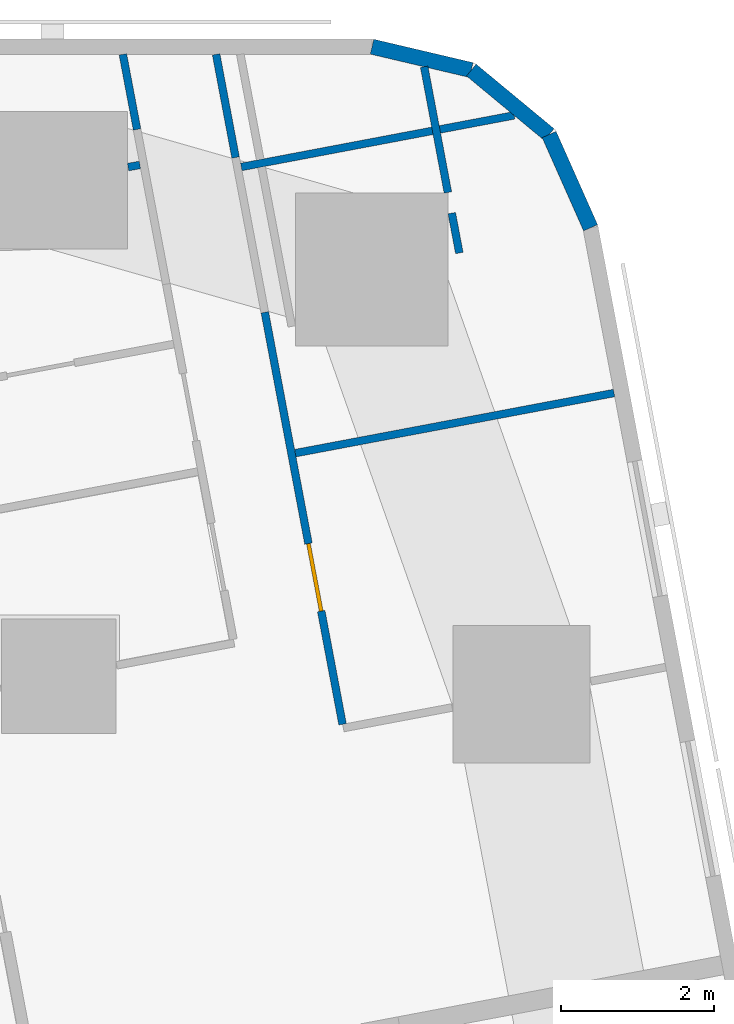
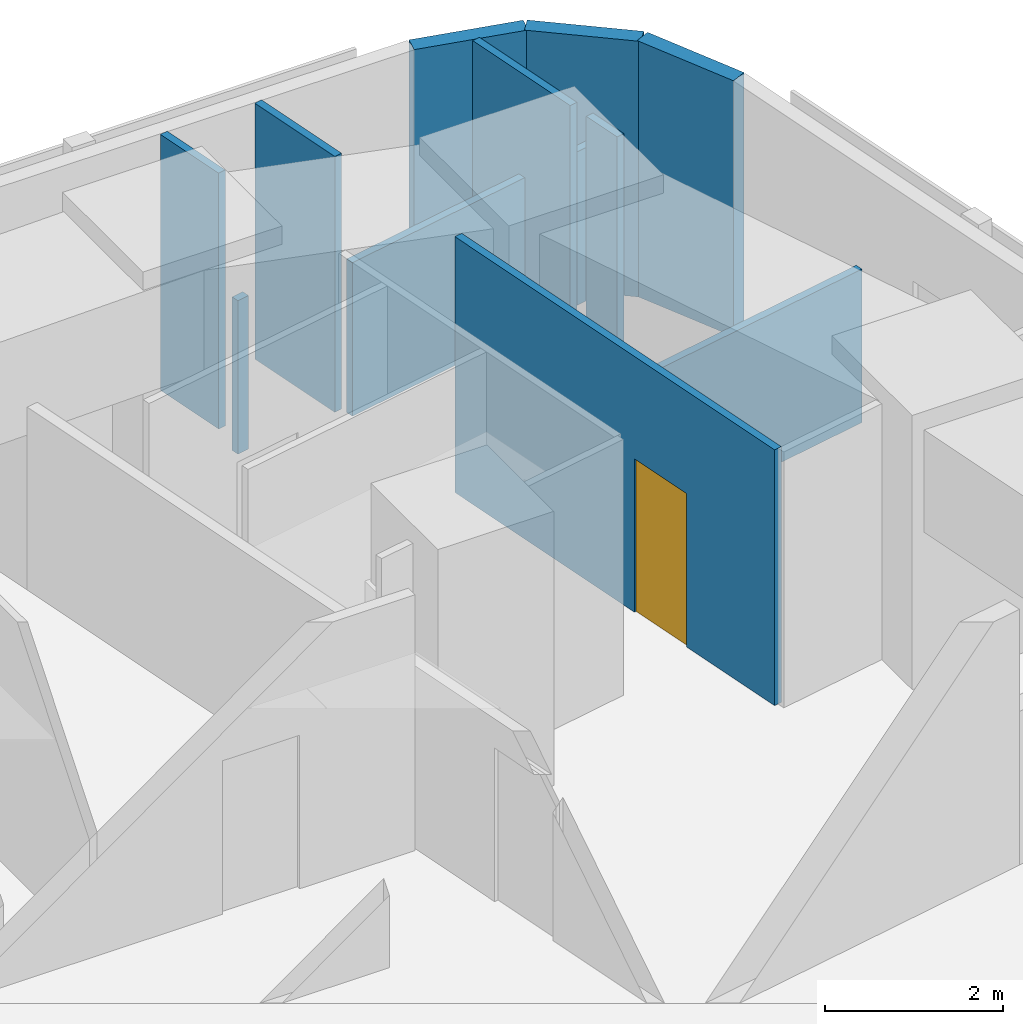
# One storey, part 11 of 15: 11 walls, 1 door, 1 opening.
"""IFC4 building model written with IfcOpenShell, lengths in metres."""

from ifc_helpers import new_model, si_unit, direction, frame, frame_2d, origin, place, context, subcontext, project, spatial, rectangle, extrude, material, layer, layer_set, type_object, element, fill, save


model = new_model("IFC4")

# Units and contexts
model_context = context("Model", 3, precision=1e-05, world=origin(), true_north=direction((0.0, 1.0)))
body_context = subcontext(model_context, "Body", "Model", "MODEL_VIEW")
ifc_project = project(units=[si_unit("LENGTHUNIT", "METRE"), si_unit("AREAUNIT", "SQUARE_METRE"), si_unit("VOLUMEUNIT", "CUBIC_METRE"), si_unit("PLANEANGLEUNIT", "RADIAN"), si_unit("MASSUNIT", "GRAM", prefix="KILO")], contexts=[model_context])

# Site, building, storey
site_placement = place(None, origin())
site = spatial("IfcSite", under=ifc_project, at=site_placement, CompositionType="ELEMENT")
building_placement = place(site_placement, origin())
building = spatial("IfcBuilding", under=site, at=building_placement, Name="Sheger Commons Tower", CompositionType="ELEMENT")
storey_placement = place(building_placement, frame((0.0, 0.0, 180.800048828125)))
storey = spatial("IfcBuildingStorey", under=building, at=storey_placement, Name="L46", CompositionType="ELEMENT", Elevation=180.800048828125)

# Walls
ifc_material_1 = material(Name="Rendered concrete block masonry, dark grey", Category="masonry")
ifc_layer_1 = layer(ifc_material_1, 0.199951171875)
ifc_layer_set_1 = layer_set([ifc_layer_1], Name="FACADE WALL 200")
wall_type_1 = type_object("IfcWallType", Name="FACADE WALL 200", PredefinedType="SOLIDWALL", material=ifc_layer_set_1)
wall_1_placement = place(storey_placement, frame((42.969970703125, 43.376953125, 0.0), z_axis=(0.0, 0.0, 1.0), x_axis=(-0.406002956633, 0.913871762998, 0.0)))
element("IfcWall", 1, at=wall_1_placement, inside=storey, type_object=wall_type_1, Name="Facade wall L46", PredefinedType="SOLIDWALL", context=body_context, shape_type="SweptSolid", body=[
    extrude(rectangle(XDim=1.33740234375, YDim=0.199951171875, at=frame_2d((0.668701171875, 0.0))), origin(), (0.0, 0.0, 1.0), 3.5),
])
wall_2_placement = place(storey_placement, frame((42.427001953125, 44.59912109375, 0.0), z_axis=(0.0, 0.0, 1.0), x_axis=(-0.770091412544, 0.637933551655, 0.0)))
element("IfcWall", 2, at=wall_2_placement, inside=storey, type_object=wall_type_1, Name="Facade wall L46", PredefinedType="SOLIDWALL", context=body_context, shape_type="SweptSolid", body=[
    extrude(rectangle(XDim=1.324462890625, YDim=0.199951171875, at=frame_2d((0.662109375, 0.0))), origin(), (0.0, 0.0, 1.0), 3.5),
])
wall_3_placement = place(storey_placement, frame((41.406982421875, 45.444091796875, 0.0), z_axis=(0.0, 0.0, 1.0), x_axis=(-0.973453091607, 0.228886606077, 0.0)))
element("IfcWall", 3, at=wall_3_placement, inside=storey, type_object=wall_type_1, Name="Facade wall L46", PredefinedType="SOLIDWALL", context=body_context, shape_type="SweptSolid", body=[
    extrude(rectangle(XDim=1.33642578125, YDim=0.199951171875, at=frame_2d((0.668212890625, 0.0))), origin(), (0.0, 0.0, 1.0), 3.5),
])
ifc_material_2 = material(Name="Gypsum board on steel studs", Category="steel")
ifc_layer_2 = layer(ifc_material_2, 0.10009765625)
ifc_layer_set_2 = layer_set([ifc_layer_2], Name="PARTITION 100")
wall_type_2 = type_object("IfcWallType", Name="PARTITION 100", PredefinedType="PARTITIONING", material=ifc_layer_set_2)
wall_4_placement = place(storey_placement, frame((40.7890625, 45.487060546875, 0.0), z_axis=(0.0, 0.0, 1.0), x_axis=(0.185572395193, -0.982630594955, 0.0)))
element("IfcWall", 4, at=wall_4_placement, inside=storey, type_object=wall_type_2, Name="Partition L46", PredefinedType="PARTITIONING", context=body_context, shape_type="SweptSolid", body=[
    extrude(rectangle(XDim=1.676025390625, YDim=0.10009765625, at=frame_2d((0.837890625, 0.0))), origin(), (0.0, 0.0, 1.0), 3.5),
])
wall_5_placement = place(storey_placement, frame((41.15087890625, 43.569091796875, 0.0), z_axis=(0.0, 0.0, 1.0), x_axis=(0.186563073924, -0.982442985342, 0.0)))
element("IfcWall", 5, at=wall_5_placement, inside=storey, type_object=wall_type_2, Name="Partition L46", PredefinedType="PARTITIONING", context=body_context, shape_type="SweptSolid", body=[
    extrude(rectangle(XDim=0.53125, YDim=0.10009765625, at=frame_2d((0.265625, 0.0))), origin(), (0.0, 0.0, 1.0), 3.5),
])
wall_6_placement = place(storey_placement, frame((38.06298828125, 45.64990234375, 0.0), z_axis=(0.0, 0.0, 1.0), x_axis=(0.185456359766, -0.982652501458, 0.0)))
element("IfcWall", 6, at=wall_6_placement, inside=storey, type_object=wall_type_2, Name="Partition L46", PredefinedType="PARTITIONING", context=body_context, shape_type="SweptSolid", body=[
    extrude(rectangle(XDim=1.375732421875, YDim=0.10009765625, at=frame_2d((0.68798828125, 0.0))), origin(), (0.0, 0.0, 1.0), 3.5),
])

# Wall, opening, door
wall_7_placement = place(storey_placement, frame((38.700927734375, 42.27001953125, 0.0), z_axis=(0.0, 0.0, 1.0), x_axis=(0.185474244877, -0.982649125826, 0.0)))
wall_7 = element("IfcWall", 7, at=wall_7_placement, inside=storey, type_object=wall_type_2, Name="Partition L46", PredefinedType="PARTITIONING", context=body_context, shape_type="SweptSolid", body=[
    extrude(rectangle(XDim=5.494140625, YDim=0.10009765625, at=frame_2d((2.7470703125, 0.0))), origin(), (0.0, 0.0, 1.0), 3.5),
])
opening_placement = place(wall_7_placement, frame((3.0849609375, 0.0, 0.0)))
opening = element("IfcOpeningElement", 8, at=opening_placement, cuts=wall_7, Name="Opening D2", PredefinedType="OPENING", context=body_context, shape_type="SweptSolid", body=[
    extrude(rectangle(XDim=0.89990234375, YDim=2.10009765625, at=frame_2d((0.449951171875, 1.050048828125))), frame((0.0, 0.06005859375, 0.0), z_axis=(0.0, -1.0, 0.0), x_axis=(1.0, 0.0, 0.0)), (0.0, 0.0, 1.0), 0.1201171875),
])
ifc_material_3 = material(Name="Timber door set", Category="wood")
door_type = type_object("IfcDoorType", Name="INTERNAL DOOR 900x2100", OperationType="NOTDEFINED", PredefinedType="DOOR", material=ifc_material_3)
door_placement = place(opening_placement, origin())
door = element("IfcDoor", 9, at=door_placement, inside=storey, type_object=door_type, Name="Main bedroom door", OperationType="SINGLE_SWING_LEFT", OverallHeight=2.10009765625, OverallWidth=0.89990234375, PredefinedType="DOOR", context=body_context, shape_type="SweptSolid", body=[
    extrude(rectangle(XDim=0.89990234375, YDim=2.10009765625, at=frame_2d((0.449951171875, 1.050048828125))), frame((0.0, 0.02490234375, 0.0), z_axis=(0.0, -1.0, 0.0), x_axis=(1.0, 0.0, 0.0)), (0.0, 0.0, 1.0), 0.050048828125),
])
fill(opening, door)

# Walls
wall_8_placement = place(storey_placement, frame((36.841064453125, 45.64990234375, 0.0), z_axis=(0.0, 0.0, 1.0), x_axis=(0.185789875365, -0.982589498322, 0.0)))
element("IfcWall", 10, at=wall_8_placement, inside=storey, type_object=wall_type_2, Name="Partition L46", PredefinedType="PARTITIONING", context=body_context, shape_type="SweptSolid", body=[
    extrude(rectangle(XDim=1.001220703125, YDim=0.10009765625, at=frame_2d((0.50048828125, 0.0))), origin(), (0.0, 0.0, 1.0), 3.5),
])
wall_9_placement = place(storey_placement, frame((41.968017578125, 44.85009765625, 0.0), z_axis=(0.0, 0.0, 1.0), x_axis=(-0.98258614234, -0.185807623311, 0.0)))
element("IfcWall", 11, at=wall_9_placement, inside=storey, type_object=wall_type_2, Name="Partition L46", PredefinedType="PARTITIONING", context=body_context, shape_type="SweptSolid", body=[
    extrude(rectangle(XDim=3.638427734375, YDim=0.10009765625, at=frame_2d((1.8193359375, 0.0))), origin(), (0.0, 0.0, 1.0), 2.099853515625),
])
wall_10_placement = place(storey_placement, frame((43.277099609375, 41.2119140625, 0.0), z_axis=(0.0, 0.0, 1.0), x_axis=(-0.982665405803, -0.185387972203, 0.0)))
element("IfcWall", 12, at=wall_10_placement, inside=storey, type_object=wall_type_2, Name="Partition L46", PredefinedType="PARTITIONING", context=body_context, shape_type="SweptSolid", body=[
    extrude(rectangle(XDim=4.249755859375, YDim=0.10009765625, at=frame_2d((2.125, 0.0))), origin(), (0.0, 0.0, 1.0), 2.099853515625),
])
wall_11_placement = place(storey_placement, frame((37.06396484375, 44.200927734375, 0.0), z_axis=(0.0, 0.0, 1.0), x_axis=(-0.982960250751, -0.183818240236, 0.0)))
element("IfcWall", 13, at=wall_11_placement, inside=storey, type_object=wall_type_2, Name="Partition L46", PredefinedType="PARTITIONING", context=body_context, shape_type="SweptSolid", body=[
    extrude(rectangle(XDim=0.15673828125, YDim=0.10009765625, at=frame_2d((0.078369140625, 0.0))), origin(), (0.0, 0.0, 1.0), 2.099853515625),
])

save(model, "model.ifc")
